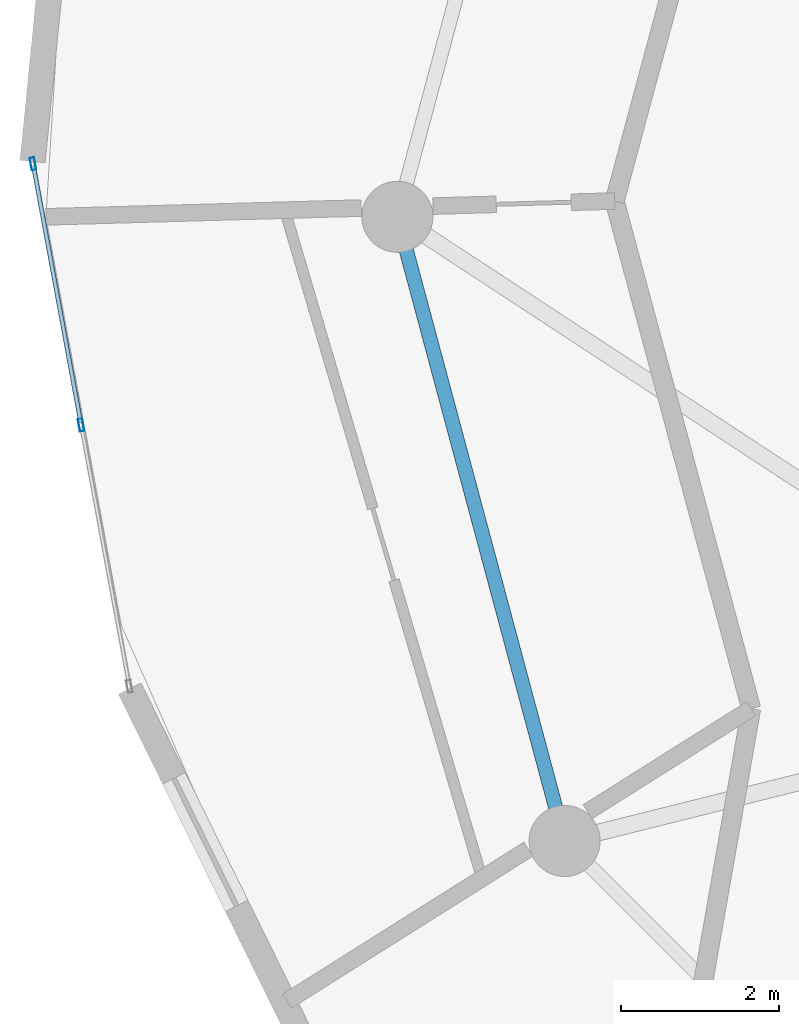
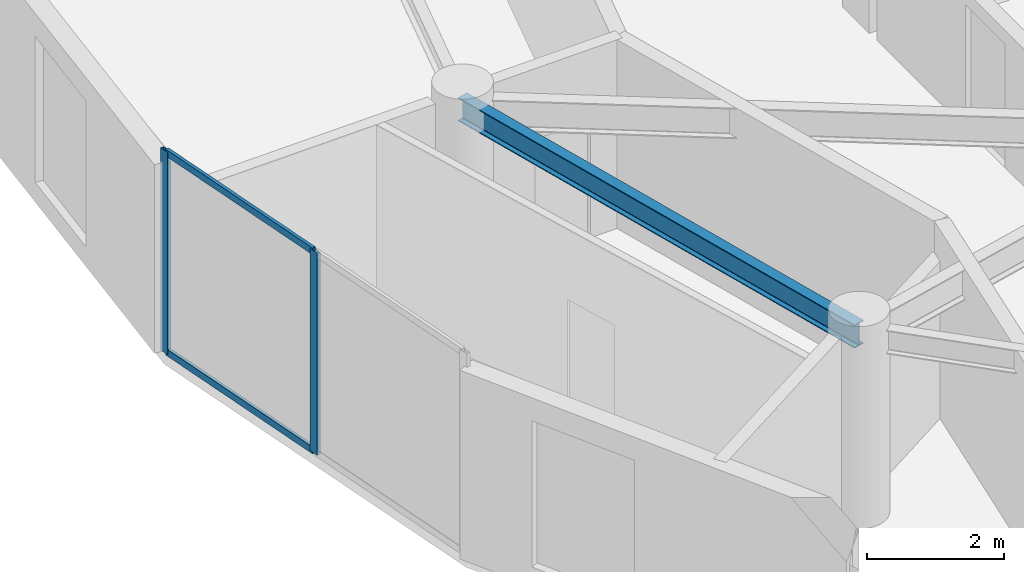
# One storey, part 7 of 21: 4 members, 1 beam, 1 element without a shape of its own.
"""IFC4 building model written with IfcOpenShell, lengths in metres."""

from ifc_helpers import new_model, si_unit, direction, frame, origin, origin_2d, place, context, subcontext, project, spatial, hollow_rectangle, i_section, extrude, source, transform, mapped, material, layer, layer_set, material_profile, profile_set, type_object, element, aggregate, save


model = new_model("IFC4")

# Units and contexts
model_context = context("Model", 3, precision=1e-05, world=origin(), true_north=direction((0.0, 1.0)))
body_context = subcontext(model_context, "Body", "Model", "MODEL_VIEW")
ifc_project = project(units=[si_unit("LENGTHUNIT", "METRE"), si_unit("AREAUNIT", "SQUARE_METRE"), si_unit("VOLUMEUNIT", "CUBIC_METRE"), si_unit("PLANEANGLEUNIT", "RADIAN"), si_unit("MASSUNIT", "GRAM", prefix="KILO")], contexts=[model_context])

# Site, building, storey
site_placement = place(None, origin())
site = spatial("IfcSite", under=ifc_project, at=site_placement, CompositionType="ELEMENT")
building_placement = place(site_placement, origin())
building = spatial("IfcBuilding", under=site, at=building_placement, Name="Solvirekh Grand Hotel", CompositionType="ELEMENT")
storey_placement = place(building_placement, frame((0.0, 0.0, 223.60009765625)))
storey = spatial("IfcBuildingStorey", under=building, at=storey_placement, Name="L58", CompositionType="ELEMENT", Elevation=223.60009765625)

# Beam
ifc_material_1 = material(Name="Steel S355", Category="steel")
ifc_material_profile_1 = material_profile(ifc_material_1, i_section(OverallWidth=0.180908203125, OverallDepth=0.4169921875, WebThickness=0.010009765625, FlangeThickness=0.01611328125, FilletRadius=0.011962890625, at=origin_2d()), Name="W410X85")
ifc_profile_set_1 = profile_set([ifc_material_profile_1], Name="Steel S355")
beam_type = type_object("IfcBeamType", Name="Spandrel_Ring_W410", PredefinedType="SPANDREL", material=ifc_profile_set_1)
beam_placement = place(storey_placement, frame((-15.800048828125, 0.0, 3.15185546875), z_axis=(0.258838541915, -0.965920601923, 0.0), x_axis=(0.965920601923, 0.258838541915, 0.0)))
element("IfcBeam", 1, at=beam_placement, inside=storey, type_object=beam_type, Name="L58 perimeter spandrel beam 7", PredefinedType="SPANDREL", context=body_context, shape_type="SweptSolid", body=[
    extrude(i_section(OverallWidth=0.180908203125, OverallDepth=0.4169921875, WebThickness=0.010009765625, FlangeThickness=0.01611328125, FilletRadius=0.011962890625, at=origin_2d()), origin(), (0.0, 0.0, 1.0), 8.1787109375),
])

# Curtain wall, members
ifc_material_2 = material(Name="Anodized Bronze Aluminium 6063-T6", Category="aluminium")
ifc_layer = layer(ifc_material_2, 0.159912109375)
ifc_layer_set = layer_set([ifc_layer], Name="Anodized Bronze Aluminium 6063-T6")
curtain_wall_type = type_object("IfcCurtainWallType", Name="CW_Sys4_HighZoneFlushBronzeCW", PredefinedType="NOTDEFINED", material=ifc_layer_set)
curtain_wall_placement = place(storey_placement, origin())
curtain_wall = element("IfcCurtainWall", 2, at=curtain_wall_placement, inside=storey, type_object=curtain_wall_type, Name="L58 unitised bronze-glass curtain wall CW-L58-C15", PredefinedType="NOTDEFINED")
ifc_material_profile_2 = material_profile(ifc_material_2, hollow_rectangle(XDim=0.06005859375, YDim=0.159912109375, WallThickness=0.0048828125, at=origin_2d()), Name="ALU RHS 160X60X5")
ifc_profile_set_2 = profile_set([ifc_material_profile_2], Name="Anodized Bronze Aluminium 6063-T6")
member_type_1 = type_object("IfcMemberType", Name="CWMullion_Sys4", PredefinedType="MULLION", material=ifc_profile_set_2)
shared_shape_1 = source(origin(), body_context, "Body", "SweptSolid", [
    extrude(hollow_rectangle(XDim=0.06005859375, YDim=0.159912109375, WallThickness=0.0048828125, at=origin_2d()), origin(), (0.0, 0.0, 1.0), 3.599853515625),
])
member_1_placement = place(storey_placement, frame((-20.41162109375, 0.67138671875, 0.0), z_axis=(0.0, 0.0, 1.0), x_axis=(0.983433144315, 0.181271207486, 0.0)))
member_1 = element("IfcMember", 3, at=member_1_placement, type_object=member_type_1, Name="U04 mullion 1", PredefinedType="MULLION", context=body_context, shape_type="MappedRepresentation", body=[
    mapped(shared_shape_1, transform((0.0, 0.0, 0.0), x_axis=(1.0, 0.0, 0.0), y_axis=(0.0, 1.0, 0.0), z_axis=(0.0, 0.0, 1.0), scale=1.0)),
])
member_2_placement = place(storey_placement, frame((-19.802001953125, -2.635498046875, 0.0), z_axis=(0.0, 0.0, 1.0), x_axis=(0.983433144315, 0.181271207486, 0.0)))
member_2 = element("IfcMember", 4, at=member_2_placement, type_object=member_type_1, Name="U04 mullion 2", PredefinedType="MULLION", context=body_context, shape_type="MappedRepresentation", body=[
    mapped(shared_shape_1, transform((0.0, 0.0, 0.0), x_axis=(1.0, 0.0, 0.0), y_axis=(0.0, 1.0, 0.0), z_axis=(0.0, 0.0, 1.0), scale=1.0)),
])
ifc_material_profile_3 = material_profile(ifc_material_2, hollow_rectangle(XDim=0.054931640625, YDim=0.1201171875, WallThickness=0.00390625, at=origin_2d()), Name="ALU RHS 120X55X4")
ifc_profile_set_3 = profile_set([ifc_material_profile_3], Name="Anodized Bronze Aluminium 6063-T6")
member_type_2 = type_object("IfcMemberType", Name="CWTransom_Sys4", PredefinedType="USERDEFINED", material=ifc_profile_set_3)
shared_shape_2 = source(origin(), body_context, "Body", "SweptSolid", [
    extrude(hollow_rectangle(XDim=0.054931640625, YDim=0.1201171875, WallThickness=0.00390625, at=origin_2d()), origin(), (0.0, 0.0, 1.0), 3.302734375),
])
member_3_placement = place(storey_placement, frame((-20.406005859375, 0.64208984375, 0.02734375), z_axis=(0.181252737318, -0.983436548647, 0.0), x_axis=(0.983436548647, 0.181252737318, 0.0)))
member_3 = element("IfcMember", 5, at=member_3_placement, type_object=member_type_2, Name="U04 transom 1.1", ObjectType="TRANSOM", PredefinedType="USERDEFINED", context=body_context, shape_type="MappedRepresentation", body=[
    mapped(shared_shape_2, transform((0.0, 0.0, 0.0), x_axis=(1.0, 0.0, 0.0), y_axis=(0.0, 1.0, 0.0), z_axis=(0.0, 0.0, 1.0), scale=1.0)),
])
member_4_placement = place(storey_placement, frame((-20.406005859375, 0.64208984375, 3.572509765625), z_axis=(0.181252737318, -0.983436548647, 0.0), x_axis=(0.983436548647, 0.181252737318, 0.0)))
member_4 = element("IfcMember", 6, at=member_4_placement, type_object=member_type_2, Name="U04 transom 1.2", ObjectType="TRANSOM", PredefinedType="USERDEFINED", context=body_context, shape_type="MappedRepresentation", body=[
    mapped(shared_shape_2, transform((0.0, 0.0, 0.0), x_axis=(1.0, 0.0, 0.0), y_axis=(0.0, 1.0, 0.0), z_axis=(0.0, 0.0, 1.0), scale=1.0)),
])
aggregate(curtain_wall, [member_1, member_2, member_3, member_4])

save(model, "model.ifc")
